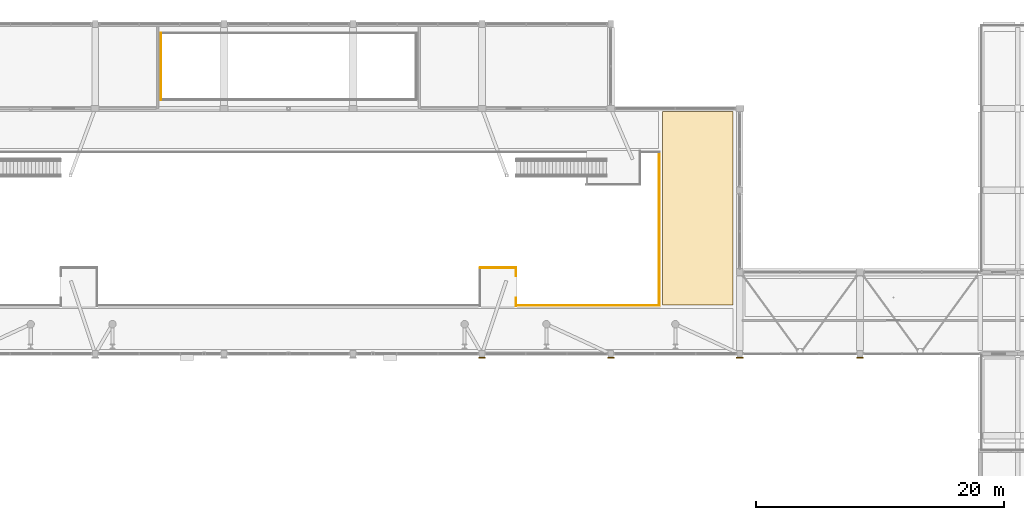
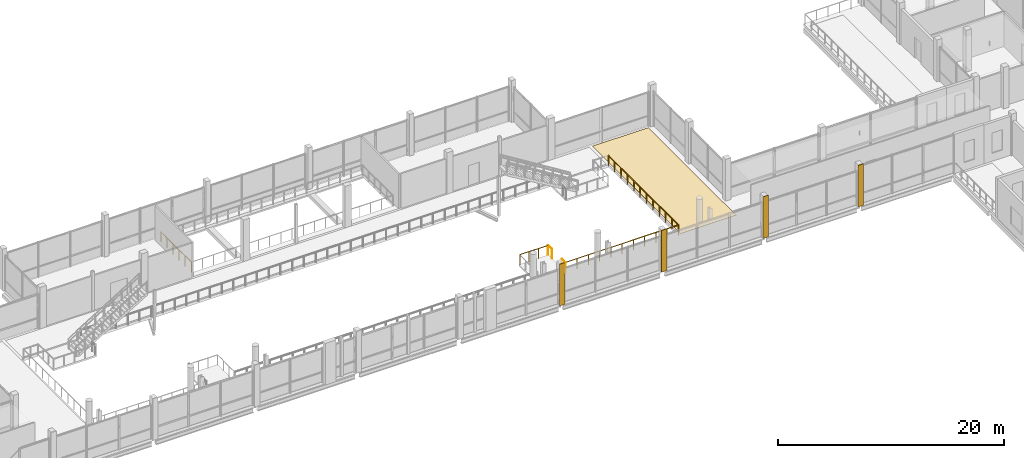
# One storey, part 90 of 95: 6 railings, 5 coverings.
"""IFC4 building model written with IfcOpenShell, lengths in metres."""

from ifc_helpers import new_model, si_unit, derived_unit, direction, frame, origin, origin_2d, place, context, subcontext, project, spatial, polyline, rectangle, circle, outline, extrude, material, layer, layer_set, type_object, element, save


model = new_model("IFC4")

# Units and contexts
model_context = context("Model", 3, precision=1e-05, world=origin(), true_north=direction((0.0, 1.0)))
body_context = subcontext(model_context, "Body", "Model", "MODEL_VIEW")
ifc_project = project(units=[si_unit("LENGTHUNIT", "METRE"), si_unit("AREAUNIT", "SQUARE_METRE"), si_unit("VOLUMEUNIT", "CUBIC_METRE"), si_unit("PLANEANGLEUNIT", "RADIAN"), si_unit("MASSUNIT", "GRAM", prefix="KILO"), derived_unit("THERMALTRANSMITTANCEUNIT", [(si_unit("POWERUNIT", "WATT"), 1), (si_unit("LENGTHUNIT", "METRE"), -2), (si_unit("THERMODYNAMICTEMPERATUREUNIT", "KELVIN"), -1)])], contexts=[model_context])

# Site, building, storey
site_placement = place(None, origin())
site = spatial("IfcSite", under=ifc_project, at=site_placement, CompositionType="ELEMENT")
building_placement = place(site_placement, origin())
building = spatial("IfcBuilding", under=site, at=building_placement, Name="Braskholm Square Health Centre", CompositionType="ELEMENT")
storey_placement = place(building_placement, frame((0.0, 0.0, 4.800048828125)))
storey = spatial("IfcBuildingStorey", under=building, at=storey_placement, Name="L02", CompositionType="ELEMENT", Elevation=4.800048828125)

# Railings
ifc_material_1 = material(Name="Dark patinated chevron architectural bronze", Category="aluminium")
railing_type = type_object("IfcRailingType", Name="BronzeChevronGuardrail1100", PredefinedType="GUARDRAIL", material=ifc_material_1)
railing_1_placement = place(storey_placement, frame((102.35009765625, 93.5, 0.0)))
element("IfcRailing", 1, at=railing_1_placement, inside=storey, type_object=railing_type, Name="Atrium stair landing edge guard 03", PredefinedType="GUARDRAIL", context=body_context, shape_type="SweptSolid", body=[
    extrude(circle(Radius=0.02392578125, at=origin_2d()), frame((0.0, 0.0, 1.076171875), z_axis=(0.0, 1.0, 0.0), x_axis=(-1.0, 0.0, 0.0)), (0.0, 0.0, 1.0), 0.64990234375),
    extrude(circle(Radius=0.02099609375, at=origin_2d()), origin(), (0.0, 0.0, 1.0), 1.052001953125),
    extrude(circle(Radius=0.02099609375, at=origin_2d()), frame((0.0, 0.64990234375, 0.0)), (0.0, 0.0, 1.0), 1.052001953125),
])
railing_2_placement = place(storey_placement, frame((102.35009765625, 94.14990234375, 0.0)))
element("IfcRailing", 2, at=railing_2_placement, inside=storey, type_object=railing_type, Name="Atrium stair landing edge guard 03", PredefinedType="GUARDRAIL", context=body_context, shape_type="SweptSolid", body=[
    extrude(circle(Radius=0.02392578125, at=origin_2d()), frame((0.0, 0.0, 1.076171875), z_axis=(-1.0, 0.0, 0.0), x_axis=(0.0, -1.0, 0.0)), (0.0, 0.0, 1.0), 2.900146484375),
    extrude(circle(Radius=0.02099609375, at=origin_2d()), origin(), (0.0, 0.0, 1.0), 1.052001953125),
    extrude(circle(Radius=0.02099609375, at=origin_2d()), frame((-0.966796875, 0.0, 0.0)), (0.0, 0.0, 1.0), 1.052001953125),
    extrude(circle(Radius=0.02099609375, at=origin_2d()), frame((-1.933349609375, 0.0, 0.0)), (0.0, 0.0, 1.0), 1.052001953125),
    extrude(circle(Radius=0.02099609375, at=origin_2d()), frame((-2.900146484375, 0.0, 0.0)), (0.0, 0.0, 1.0), 1.052001953125),
])
railing_3_placement = place(storey_placement, frame((102.35009765625, 91.699951171875, 0.0)))
element("IfcRailing", 3, at=railing_3_placement, inside=storey, type_object=railing_type, Name="Atrium stair landing edge guard 04", PredefinedType="GUARDRAIL", context=body_context, shape_type="SweptSolid", body=[
    extrude(circle(Radius=0.02392578125, at=origin_2d()), frame((0.0, 0.0, 1.076171875), z_axis=(0.0, -1.0, 0.0), x_axis=(1.0, 0.0, 0.0)), (0.0, 0.0, 1.0), 0.64990234375),
    extrude(circle(Radius=0.02099609375, at=origin_2d()), origin(), (0.0, 0.0, 1.0), 1.052001953125),
    extrude(circle(Radius=0.02099609375, at=origin_2d()), frame((0.0, -0.64990234375, 0.0)), (0.0, 0.0, 1.0), 1.052001953125),
])
railing_4_placement = place(storey_placement, frame((73.699951171875, 113.10009765625, 0.0)))
element("IfcRailing", 4, at=railing_4_placement, inside=storey, type_object=railing_type, Name="Bronze chevron guardrail 0016 L02", PredefinedType="GUARDRAIL", context=body_context, shape_type="SweptSolid", body=[
    extrude(circle(Radius=0.02392578125, at=origin_2d()), frame((0.0, 0.0, 1.076171875), z_axis=(0.0, -1.0, 0.0), x_axis=(1.0, 0.0, 0.0)), (0.0, 0.0, 1.0), 5.400146484375),
    extrude(circle(Radius=0.02099609375, at=origin_2d()), origin(), (0.0, 0.0, 1.0), 1.052001953125),
    extrude(circle(Radius=0.02099609375, at=origin_2d()), frame((0.0, -1.080078125, 0.0)), (0.0, 0.0, 1.0), 1.052001953125),
    extrude(circle(Radius=0.02099609375, at=origin_2d()), frame((0.0, -2.16015625, 0.0)), (0.0, 0.0, 1.0), 1.052001953125),
    extrude(circle(Radius=0.02099609375, at=origin_2d()), frame((0.0, -3.239990234375, 0.0)), (0.0, 0.0, 1.0), 1.052001953125),
    extrude(circle(Radius=0.02099609375, at=origin_2d()), frame((0.0, -4.320068359375, 0.0)), (0.0, 0.0, 1.0), 1.052001953125),
    extrude(circle(Radius=0.02099609375, at=origin_2d()), frame((0.0, -5.400146484375, 0.0)), (0.0, 0.0, 1.0), 1.052001953125),
])
railing_5_placement = place(storey_placement, frame((102.39990234375, 91.10009765625, 0.0)))
element("IfcRailing", 5, at=railing_5_placement, inside=storey, type_object=railing_type, Name="Bronze chevron guardrail 0055 L02", PredefinedType="GUARDRAIL", context=body_context, shape_type="SweptSolid", body=[
    extrude(circle(Radius=0.02392578125, at=origin_2d()), frame((0.0, 0.0, 1.076171875), z_axis=(1.0, 0.0, 0.0), x_axis=(0.0, 1.0, 0.0)), (0.0, 0.0, 1.0), 11.5),
    extrude(circle(Radius=0.02099609375, at=origin_2d()), origin(), (0.0, 0.0, 1.0), 1.052001953125),
    extrude(circle(Radius=0.02099609375, at=origin_2d()), frame((1.14990234375, 0.0, 0.0)), (0.0, 0.0, 1.0), 1.052001953125),
    extrude(circle(Radius=0.02099609375, at=origin_2d()), frame((2.300048828125, 0.0, 0.0)), (0.0, 0.0, 1.0), 1.052001953125),
    extrude(circle(Radius=0.02099609375, at=origin_2d()), frame((3.449951171875, 0.0, 0.0)), (0.0, 0.0, 1.0), 1.052001953125),
    extrude(circle(Radius=0.02099609375, at=origin_2d()), frame((4.60009765625, 0.0, 0.0)), (0.0, 0.0, 1.0), 1.052001953125),
    extrude(circle(Radius=0.02099609375, at=origin_2d()), frame((5.75, 0.0, 0.0)), (0.0, 0.0, 1.0), 1.052001953125),
    extrude(circle(Radius=0.02099609375, at=origin_2d()), frame((6.89990234375, 0.0, 0.0)), (0.0, 0.0, 1.0), 1.052001953125),
    extrude(circle(Radius=0.02099609375, at=origin_2d()), frame((8.050048828125, 0.0, 0.0)), (0.0, 0.0, 1.0), 1.052001953125),
    extrude(circle(Radius=0.02099609375, at=origin_2d()), frame((9.199951171875, 0.0, 0.0)), (0.0, 0.0, 1.0), 1.052001953125),
    extrude(circle(Radius=0.02099609375, at=origin_2d()), frame((10.35009765625, 0.0, 0.0)), (0.0, 0.0, 1.0), 1.052001953125),
    extrude(circle(Radius=0.02099609375, at=origin_2d()), frame((11.5, 0.0, 0.0)), (0.0, 0.0, 1.0), 1.052001953125),
])
railing_6_placement = place(storey_placement, frame((113.89990234375, 91.10009765625, 0.0)))
element("IfcRailing", 6, at=railing_6_placement, inside=storey, type_object=railing_type, Name="Bronze chevron guardrail 0056 L02", PredefinedType="GUARDRAIL", context=body_context, shape_type="SweptSolid", body=[
    extrude(circle(Radius=0.02392578125, at=origin_2d()), frame((0.0, 0.0, 1.076171875), z_axis=(0.0, 1.0, 0.0), x_axis=(-1.0, 0.0, 0.0)), (0.0, 0.0, 1.0), 12.39990234375),
    extrude(circle(Radius=0.02099609375, at=origin_2d()), origin(), (0.0, 0.0, 1.0), 1.052001953125),
    extrude(circle(Radius=0.02099609375, at=origin_2d()), frame((0.0, 1.127197265625, 0.0)), (0.0, 0.0, 1.0), 1.052001953125),
    extrude(circle(Radius=0.02099609375, at=origin_2d()), frame((0.0, 2.254638671875, 0.0)), (0.0, 0.0, 1.0), 1.052001953125),
    extrude(circle(Radius=0.02099609375, at=origin_2d()), frame((0.0, 3.3818359375, 0.0)), (0.0, 0.0, 1.0), 1.052001953125),
    extrude(circle(Radius=0.02099609375, at=origin_2d()), frame((0.0, 4.509033203125, 0.0)), (0.0, 0.0, 1.0), 1.052001953125),
    extrude(circle(Radius=0.02099609375, at=origin_2d()), frame((0.0, 5.63623046875, 0.0)), (0.0, 0.0, 1.0), 1.052001953125),
    extrude(circle(Radius=0.02099609375, at=origin_2d()), frame((0.0, 6.763671875, 0.0)), (0.0, 0.0, 1.0), 1.052001953125),
    extrude(circle(Radius=0.02099609375, at=origin_2d()), frame((0.0, 7.890869140625, 0.0)), (0.0, 0.0, 1.0), 1.052001953125),
    extrude(circle(Radius=0.02099609375, at=origin_2d()), frame((0.0, 9.01806640625, 0.0)), (0.0, 0.0, 1.0), 1.052001953125),
    extrude(circle(Radius=0.02099609375, at=origin_2d()), frame((0.0, 10.145263671875, 0.0)), (0.0, 0.0, 1.0), 1.052001953125),
    extrude(circle(Radius=0.02099609375, at=origin_2d()), frame((0.0, 11.272705078125, 0.0)), (0.0, 0.0, 1.0), 1.052001953125),
    extrude(circle(Radius=0.02099609375, at=origin_2d()), frame((0.0, 12.39990234375, 0.0)), (0.0, 0.0, 1.0), 1.052001953125),
])

# Coverings
ifc_material_2 = material(Name="Polished geometric terrazzo flooring", Category="masonry")
ifc_layer_1 = layer(ifc_material_2, 0.02001953125)
ifc_layer_set_1 = layer_set([ifc_layer_1], Name="Polished geometric terrazzo flooring")
covering_type_1 = type_object("IfcCoveringType", Name="PolishedTerrazzoFloorFinish", PredefinedType="FLOORING", material=ifc_layer_set_1)
covering_placement = place(storey_placement, origin())
element("IfcCovering", 7, at=covering_placement, inside=storey, type_object=covering_type_1, Name="Polished terrazzo floor L02-299", PredefinedType="FLOORING", context=body_context, shape_type="SweptSolid", body=[
    extrude(outline(polyline([(114.14990234375, 91.14990234375), (119.85009765625, 91.14990234375), (119.85009765625, 106.75), (114.14990234375, 106.75), (114.14990234375, 91.14990234375)])), origin(), (0.0, 0.0, 1.0), 0.02001953125),
])
ifc_material_3 = material(Name="Precast concrete C40/50 architectural white", Category="concrete")
ifc_layer_2 = layer(ifc_material_3, 0.054931640625)
ifc_layer_set_2 = layer_set([ifc_layer_2], Name="Precast concrete C40/50 architectural white")
covering_type_2 = type_object("IfcCoveringType", Name="PrecastWhiteColumnCasing", PredefinedType="CLADDING", material=ifc_layer_set_2)
for number, where, z_axis, x_axis, name in (
    (8, (99.60009765625, 86.89501953125, 0.0), (0.0, 0.0, 1.0), (1.0, 0.0, 0.0), "Giant-order white precast column casing 0207"),
    (9, (110.0, 86.89501953125, 0.0), (0.0, 0.0, 1.0), (1.0, 0.0, 0.0), "Giant-order white precast column casing 0210"),
    (10, (120.39990234375, 86.89501953125, 0.0), (0.0, 0.0, 1.0), (1.0, 0.0, 0.0), "Giant-order white precast column casing 0213"),
    (11, (130.10009765625, 86.89501953125, 0.0), (0.0, 0.0, 1.0), (1.0, 0.0, 0.0), "Giant-order white precast column casing 0216"),
):
    element("IfcCovering", number, at=place(storey_placement, frame(where, z_axis=z_axis, x_axis=x_axis)), inside=storey, type_object=covering_type_2, Name=name, PredefinedType="CLADDING", context=body_context, shape_type="SweptSolid", body=[
        extrude(rectangle(XDim=0.5400390625, YDim=0.06005859375, at=origin_2d()), origin(), (0.0, 0.0, 1.0), 4.5),
    ])

save(model, "model.ifc")
